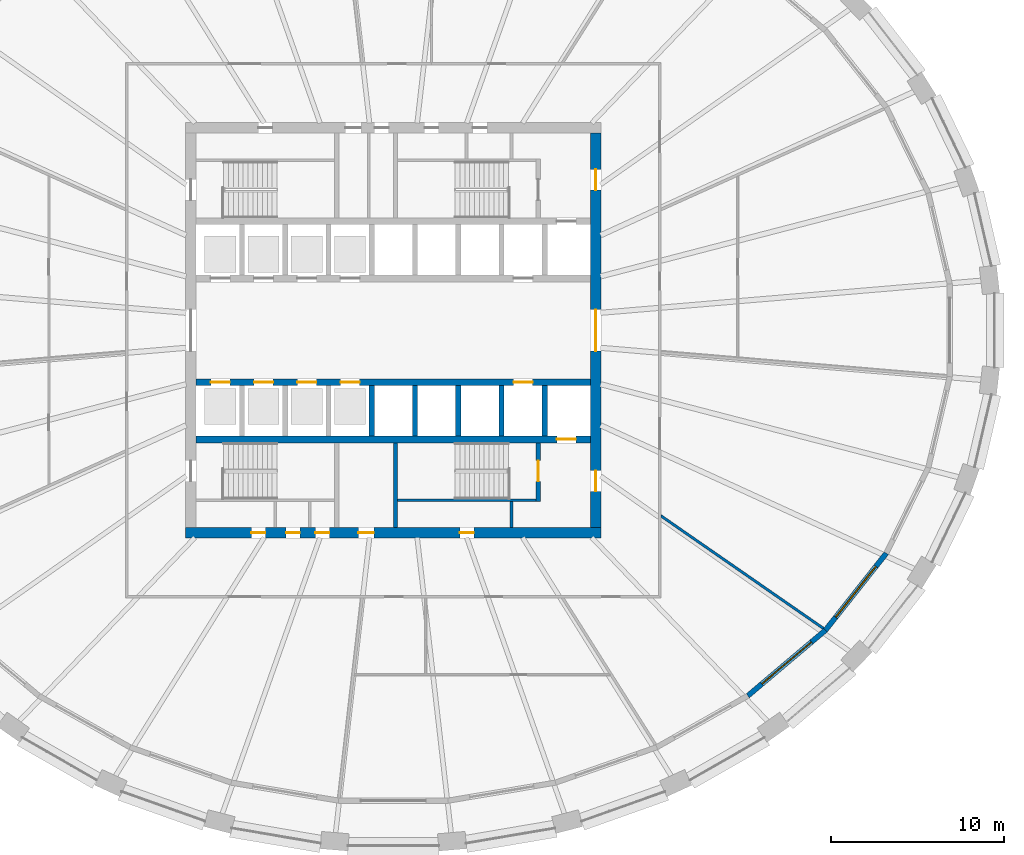
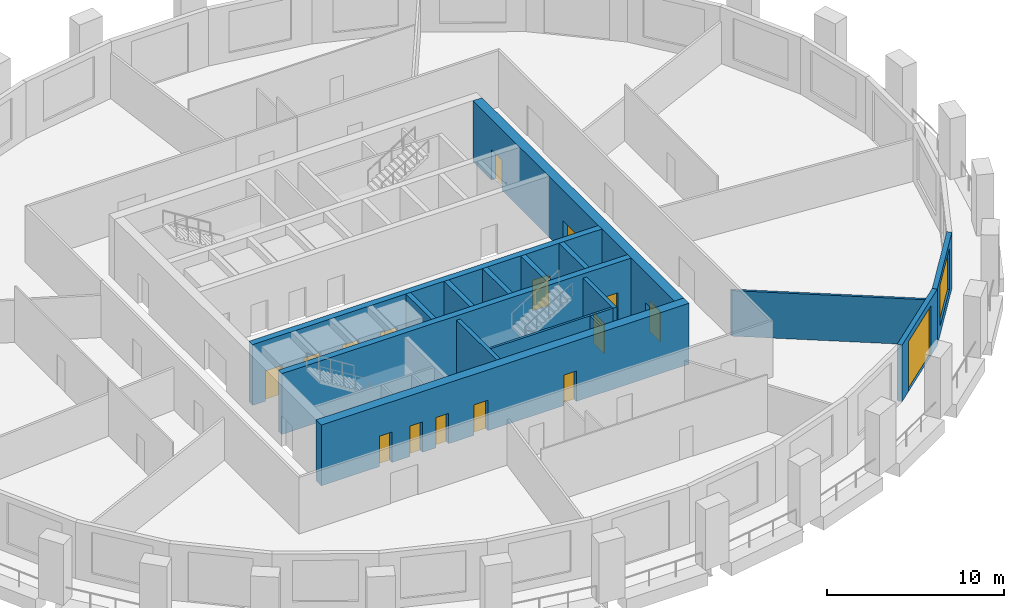
# One storey, part 4 of 10: 16 doors, 16 walls, 1 window, 17 openings.
"""IFC4 building model written with IfcOpenShell, lengths in metres."""

from ifc_helpers import new_model, si_unit, direction, frame, frame_2d, origin, place, context, subcontext, project, spatial, polyline, rectangle, outline, extrude, material, layer, layer_set, type_object, element, fill, save


model = new_model("IFC4")

# Units and contexts
model_context = context("Model", 3, precision=1e-05, world=origin(), true_north=direction((0.0, 1.0)))
body_context = subcontext(model_context, "Body", "Model", "MODEL_VIEW")
ifc_project = project(units=[si_unit("LENGTHUNIT", "METRE"), si_unit("AREAUNIT", "SQUARE_METRE"), si_unit("VOLUMEUNIT", "CUBIC_METRE"), si_unit("PLANEANGLEUNIT", "RADIAN"), si_unit("MASSUNIT", "GRAM", prefix="KILO")], contexts=[model_context])

# Site, building, storey
site_placement = place(None, origin())
site = spatial("IfcSite", under=ifc_project, at=site_placement, CompositionType="ELEMENT")
building_placement = place(site_placement, origin())
building = spatial("IfcBuilding", under=site, at=building_placement, Name="Halqa Exchange Tower", CompositionType="ELEMENT")
storey_placement = place(building_placement, frame((0.0, 0.0, 125.5)))
storey = spatial("IfcBuildingStorey", under=building, at=storey_placement, Name="L28", CompositionType="ELEMENT", Elevation=125.5)

# Walls
ifc_material_1 = material(Name="Fire-rated gypsum board")
ifc_layer_1 = layer(ifc_material_1, 0.14990234375)
ifc_layer_set_1 = layer_set([ifc_layer_1], Name="Fire-rated gypsum board")
wall_type_1 = type_object("IfcWallType", Name="Fire partition EI 60 150", PredefinedType="PARTITIONING", material=ifc_layer_set_1)
wall_1_placement = place(storey_placement, frame((15.4326171875, -10.702392578125, 0.0), z_axis=(0.0, 0.0, 1.0), x_axis=(0.82200427234, -0.56948132213, 0.0)))
element("IfcWall", 1, at=wall_1_placement, inside=storey, type_object=wall_type_1, Name="L28-PWL-021", PredefinedType="PARTITIONING", context=body_context, shape_type="SweptSolid", body=[
    extrude(outline(polyline([(0.103515625, -0.074951171875), (1.992431640625, -0.074951171875), (3.88134765625, -0.074951171875), (5.77001953125, -0.074951171875), (7.658935546875, -0.074951171875), (9.5478515625, -0.074951171875), (11.436767578125, -0.074951171875), (11.45703125, 0.0), (11.46142578125, 0.070556640625), (11.46142578125, 0.074951171875), (9.55126953125, 0.074951171875), (7.640869140625, 0.074951171875), (5.730712890625, 0.074951171875), (3.820556640625, 0.074951171875), (1.91015625, 0.074951171875), (0.0, 0.074951171875), (0.0, 0.074462890625), (0.103515625, -0.074951171875)])), origin(), (0.0, 0.0, 1.0), 3.14697265625),
])
ifc_material_2 = material(Name="Gypsum board")
ifc_layer_2 = layer(ifc_material_2, 0.14990234375)
ifc_layer_set_2 = layer_set([ifc_layer_2], Name="Gypsum board")
wall_type_2 = type_object("IfcWallType", Name="Penthouse riser wall 150 gypsum", PredefinedType="PARTITIONING", material=ifc_layer_set_2)
wall_2_placement = place(storey_placement, frame((6.824951171875, -11.39990234375, 0.0), z_axis=(0.0, 0.0, 1.0), x_axis=(0.0, 1.0, 0.0)))
element("IfcWall", 2, at=wall_2_placement, inside=storey, type_object=wall_type_2, Name="Firefighting lobby west wall S", PredefinedType="PARTITIONING", context=body_context, shape_type="SweptSolid", body=[
    extrude(rectangle(XDim=1.5, YDim=0.14990234375, at=frame_2d((0.75, 0.0))), origin(), (0.0, 0.0, 1.0), 3.89990234375),
])
ifc_material_3 = material(Name="Concrete C60/75", Category="concrete")
ifc_layer_3 = layer(ifc_material_3, 0.300048828125)
ifc_layer_set_3 = layer_set([ifc_layer_3], Name="Concrete C60/75")
wall_type_3 = type_object("IfcWallType", Name="RC core wall 300", PredefinedType="SHEAR", material=ifc_layer_set_3)
for number, where, z_axis, x_axis, name in (
    (3, (-1.25, -6.10009765625, 0.0), (0.0, 0.0, 1.0), (0.0, 1.0, 0.0), "Shaft divider S4"),
    (4, (1.25, -6.10009765625, 0.0), (0.0, 0.0, 1.0), (0.0, 1.0, 0.0), "Shaft divider S5"),
    (5, (3.75, -6.10009765625, 0.0), (0.0, 0.0, 1.0), (0.0, 1.0, 0.0), "Shaft divider S6"),
    (6, (6.25, -6.10009765625, 0.0), (0.0, 0.0, 1.0), (0.0, 1.0, 0.0), "Shaft divider S7"),
    (7, (8.75, -6.10009765625, 0.0), (0.0, 0.0, 1.0), (0.0, 1.0, 0.0), "Shaft divider S8"),
):
    element("IfcWall", number, at=place(storey_placement, frame(where, z_axis=z_axis, x_axis=x_axis)), inside=storey, type_object=wall_type_3, Name=name, PredefinedType="SHEAR", context=body_context, shape_type="SweptSolid", body=[
        extrude(rectangle(XDim=2.900146484375, YDim=0.300048828125, at=frame_2d((1.4501953125, 0.0))), origin(), (0.0, 0.0, 1.0), 4.199951171875),
    ])

# Wall, openings, doors
ifc_material_4 = material(Name="Concrete C70/85", Category="concrete")
ifc_layer_4 = layer(ifc_material_4, 0.39990234375)
ifc_layer_set_4 = layer_set([ifc_layer_4], Name="Concrete C70/85")
wall_type_4 = type_object("IfcWallType", Name="RC core wall 400 C70/85", PredefinedType="SHEAR", material=ifc_layer_set_4)
wall_3_placement = place(storey_placement, frame((-11.39990234375, -3.0, 0.0), z_axis=(0.0, 0.0, 1.0), x_axis=(1.0, 0.0, 0.0)))
wall_3 = element("IfcWall", 8, at=wall_3_placement, inside=storey, type_object=wall_type_4, Name="Lift row front wall S", PredefinedType="SHEAR", context=body_context, shape_type="SweptSolid", body=[
    extrude(rectangle(XDim=22.7998046875, YDim=0.39990234375, at=frame_2d((11.39990234375, 0.0))), origin(), (0.0, 0.0, 1.0), 4.199951171875),
])
opening_1_placement = place(wall_3_placement, frame((0.85009765625, 0.0, 0.0)))
opening_1 = element("IfcOpeningElement", 9, at=opening_1_placement, cuts=wall_3, Name="Opening LD-LR5-T08", PredefinedType="OPENING", context=body_context, shape_type="SweptSolid", body=[
    extrude(rectangle(XDim=1.10009765625, YDim=2.10009765625, at=frame_2d((0.550048828125, 1.050048828125))), frame((0.0, 0.2119140625, 0.0), z_axis=(0.0, -1.0, 0.0), x_axis=(1.0, 0.0, 0.0)), (0.0, 0.0, 1.0), 0.423828125),
])
opening_2_placement = place(wall_3_placement, frame((3.35009765625, 0.0, 0.0)))
opening_2 = element("IfcOpeningElement", 10, at=opening_2_placement, cuts=wall_3, Name="Opening LD-LR6-T08", PredefinedType="OPENING", context=body_context, shape_type="SweptSolid", body=[
    extrude(rectangle(XDim=1.10009765625, YDim=2.10009765625, at=frame_2d((0.550048828125, 1.050048828125))), frame((0.0, 0.2119140625, 0.0), z_axis=(0.0, -1.0, 0.0), x_axis=(1.0, 0.0, 0.0)), (0.0, 0.0, 1.0), 0.423828125),
])
opening_3_placement = place(wall_3_placement, frame((5.85009765625, 0.0, 0.0)))
opening_3 = element("IfcOpeningElement", 11, at=opening_3_placement, cuts=wall_3, Name="Opening LD-LR7-T08", PredefinedType="OPENING", context=body_context, shape_type="SweptSolid", body=[
    extrude(rectangle(XDim=1.10009765625, YDim=2.10009765625, at=frame_2d((0.550048828125, 1.050048828125))), frame((0.0, 0.2119140625, 0.0), z_axis=(0.0, -1.0, 0.0), x_axis=(1.0, 0.0, 0.0)), (0.0, 0.0, 1.0), 0.423828125),
])
opening_4_placement = place(wall_3_placement, frame((8.35009765625, 0.0, 0.0)))
opening_4 = element("IfcOpeningElement", 12, at=opening_4_placement, cuts=wall_3, Name="Opening LD-LR8-T08", PredefinedType="OPENING", context=body_context, shape_type="SweptSolid", body=[
    extrude(rectangle(XDim=1.10009765625, YDim=2.10009765625, at=frame_2d((0.550048828125, 1.050048828125))), frame((0.0, 0.2119140625, 0.0), z_axis=(0.0, -1.0, 0.0), x_axis=(1.0, 0.0, 0.0)), (0.0, 0.0, 1.0), 0.423828125),
])
opening_5_placement = place(wall_3_placement, frame((18.35009765625, 0.0, 0.0)))
opening_5 = element("IfcOpeningElement", 13, at=opening_5_placement, cuts=wall_3, Name="Opening LD-SV2-T08", PredefinedType="OPENING", context=body_context, shape_type="SweptSolid", body=[
    extrude(rectangle(XDim=1.10009765625, YDim=2.10009765625, at=frame_2d((0.550048828125, 1.050048828125))), frame((0.0, 0.2119140625, 0.0), z_axis=(0.0, -1.0, 0.0), x_axis=(1.0, 0.0, 0.0)), (0.0, 0.0, 1.0), 0.423828125),
])
ifc_material_5 = material(Name="Stainless steel", Category="steel")
door_type_1 = type_object("IfcDoorType", Name="Lift landing door 1100 x 2100", OperationType="SLIDING_TO_LEFT", PredefinedType="DOOR", material=ifc_material_5)
door_1_placement = place(opening_1_placement, origin())
door_1 = element("IfcDoor", 14, at=door_1_placement, inside=storey, type_object=door_type_1, Name="Lift landing door LR5", OperationType="SLIDING_TO_LEFT", OverallHeight=2.10009765625, OverallWidth=1.10009765625, PredefinedType="DOOR", context=body_context, shape_type="SweptSolid", body=[
    extrude(rectangle(XDim=1.10009765625, YDim=2.10009765625, at=frame_2d((0.550048828125, 1.050048828125))), frame((0.0, 0.02490234375, 0.0), z_axis=(0.0, -1.0, 0.0), x_axis=(1.0, 0.0, 0.0)), (0.0, 0.0, 1.0), 0.050048828125),
])
fill(opening_1, door_1)
door_2_placement = place(opening_2_placement, origin())
door_2 = element("IfcDoor", 15, at=door_2_placement, inside=storey, type_object=door_type_1, Name="Lift landing door LR6", OperationType="SLIDING_TO_LEFT", OverallHeight=2.10009765625, OverallWidth=1.10009765625, PredefinedType="DOOR", context=body_context, shape_type="SweptSolid", body=[
    extrude(rectangle(XDim=1.10009765625, YDim=2.10009765625, at=frame_2d((0.550048828125, 1.050048828125))), frame((0.0, 0.02490234375, 0.0), z_axis=(0.0, -1.0, 0.0), x_axis=(1.0, 0.0, 0.0)), (0.0, 0.0, 1.0), 0.050048828125),
])
fill(opening_2, door_2)
door_3_placement = place(opening_3_placement, origin())
door_3 = element("IfcDoor", 16, at=door_3_placement, inside=storey, type_object=door_type_1, Name="Lift landing door LR7", OperationType="SLIDING_TO_LEFT", OverallHeight=2.10009765625, OverallWidth=1.10009765625, PredefinedType="DOOR", context=body_context, shape_type="SweptSolid", body=[
    extrude(rectangle(XDim=1.10009765625, YDim=2.10009765625, at=frame_2d((0.550048828125, 1.050048828125))), frame((0.0, 0.02490234375, 0.0), z_axis=(0.0, -1.0, 0.0), x_axis=(1.0, 0.0, 0.0)), (0.0, 0.0, 1.0), 0.050048828125),
])
fill(opening_3, door_3)
door_4_placement = place(opening_4_placement, origin())
door_4 = element("IfcDoor", 17, at=door_4_placement, inside=storey, type_object=door_type_1, Name="Lift landing door LR8", OperationType="SLIDING_TO_LEFT", OverallHeight=2.10009765625, OverallWidth=1.10009765625, PredefinedType="DOOR", context=body_context, shape_type="SweptSolid", body=[
    extrude(rectangle(XDim=1.10009765625, YDim=2.10009765625, at=frame_2d((0.550048828125, 1.050048828125))), frame((0.0, 0.02490234375, 0.0), z_axis=(0.0, -1.0, 0.0), x_axis=(1.0, 0.0, 0.0)), (0.0, 0.0, 1.0), 0.050048828125),
])
fill(opening_4, door_4)
door_5_placement = place(opening_5_placement, origin())
door_5 = element("IfcDoor", 18, at=door_5_placement, inside=storey, type_object=door_type_1, Name="Lift landing door SV2", OperationType="SLIDING_TO_LEFT", OverallHeight=2.10009765625, OverallWidth=1.10009765625, PredefinedType="DOOR", context=body_context, shape_type="SweptSolid", body=[
    extrude(rectangle(XDim=1.10009765625, YDim=2.10009765625, at=frame_2d((0.550048828125, 1.050048828125))), frame((0.0, 0.02490234375, 0.0), z_axis=(0.0, -1.0, 0.0), x_axis=(1.0, 0.0, 0.0)), (0.0, 0.0, 1.0), 0.050048828125),
])
fill(opening_5, door_5)

# Wall, opening, door
wall_4_placement = place(storey_placement, frame((-11.39990234375, -6.300048828125, 0.0), z_axis=(0.0, 0.0, 1.0), x_axis=(1.0, 0.0, 0.0)))
wall_4 = element("IfcWall", 19, at=wall_4_placement, inside=storey, type_object=wall_type_4, Name="Lift row back wall S", PredefinedType="SHEAR", context=body_context, shape_type="SweptSolid", body=[
    extrude(rectangle(XDim=22.7998046875, YDim=0.39990234375, at=frame_2d((11.39990234375, 0.0))), origin(), (0.0, 0.0, 1.0), 4.199951171875),
])
opening_6_placement = place(wall_4_placement, frame((20.85009765625, 0.0, 0.0)))
opening_6 = element("IfcOpeningElement", 20, at=opening_6_placement, cuts=wall_4, Name="Opening LD-FF2-T08", PredefinedType="OPENING", context=body_context, shape_type="SweptSolid", body=[
    extrude(rectangle(XDim=1.10009765625, YDim=2.10009765625, at=frame_2d((0.550048828125, 1.050048828125))), frame((0.0, 0.2119140625, 0.0), z_axis=(0.0, -1.0, 0.0), x_axis=(1.0, 0.0, 0.0)), (0.0, 0.0, 1.0), 0.423828125),
])
door_6_placement = place(opening_6_placement, origin())
door_6 = element("IfcDoor", 21, at=door_6_placement, inside=storey, type_object=door_type_1, Name="Lift landing door FF2", OperationType="SLIDING_TO_LEFT", OverallHeight=2.10009765625, OverallWidth=1.10009765625, PredefinedType="DOOR", context=body_context, shape_type="SweptSolid", body=[
    extrude(rectangle(XDim=1.10009765625, YDim=2.10009765625, at=frame_2d((0.550048828125, 1.050048828125))), frame((0.0, 0.02490234375, 0.0), z_axis=(0.0, -1.0, 0.0), x_axis=(1.0, 0.0, 0.0)), (0.0, 0.0, 1.0), 0.050048828125),
])
fill(opening_6, door_6)

# Wall, openings, doors
ifc_layer_5 = layer(ifc_material_4, 0.60009765625)
ifc_layer_set_5 = layer_set([ifc_layer_5], Name="Concrete C70/85")
wall_type_5 = type_object("IfcWallType", Name="RC core wall 600 C70/85", PredefinedType="SHEAR", material=ifc_layer_set_5)
wall_5_placement = place(storey_placement, frame((-12.0, -11.699951171875, 0.0), z_axis=(0.0, 0.0, 1.0), x_axis=(1.0, 0.0, 0.0)))
wall_5 = element("IfcWall", 22, at=wall_5_placement, inside=storey, type_object=wall_type_5, Name="Core wall south", PredefinedType="SHEAR", context=body_context, shape_type="SweptSolid", body=[
    extrude(rectangle(XDim=24.0, YDim=0.60009765625, at=frame_2d((12.0, 0.0))), origin(), (0.0, 0.0, 1.0), 4.199951171875),
])
opening_7_placement = place(wall_5_placement, frame((9.97509765625, 0.0, 0.0)))
opening_7 = element("IfcOpeningElement", 23, at=opening_7_placement, cuts=wall_5, Name="Opening T08-C26", PredefinedType="OPENING", context=body_context, shape_type="SweptSolid", body=[
    extrude(rectangle(XDim=0.89990234375, YDim=2.10009765625, at=frame_2d((0.449951171875, 1.050048828125))), frame((0.0, 0.31201171875, 0.0), z_axis=(0.0, -1.0, 0.0), x_axis=(1.0, 0.0, 0.0)), (0.0, 0.0, 1.0), 0.6240234375),
])
opening_8_placement = place(wall_5_placement, frame((3.800048828125, 0.0, 0.0)))
opening_8 = element("IfcOpeningElement", 24, at=opening_8_placement, cuts=wall_5, Name="Opening T08-C27", PredefinedType="OPENING", context=body_context, shape_type="SweptSolid", body=[
    extrude(rectangle(XDim=0.800048828125, YDim=2.10009765625, at=frame_2d((0.39990234375, 1.050048828125))), frame((0.0, 0.31201171875, 0.0), z_axis=(0.0, -1.0, 0.0), x_axis=(1.0, 0.0, 0.0)), (0.0, 0.0, 1.0), 0.6240234375),
])
opening_9_placement = place(wall_5_placement, frame((5.800048828125, 0.0, 0.0)))
opening_9 = element("IfcOpeningElement", 25, at=opening_9_placement, cuts=wall_5, Name="Opening T08-C28", PredefinedType="OPENING", context=body_context, shape_type="SweptSolid", body=[
    extrude(rectangle(XDim=0.800048828125, YDim=2.10009765625, at=frame_2d((0.39990234375, 1.050048828125))), frame((0.0, 0.31201171875, 0.0), z_axis=(0.0, -1.0, 0.0), x_axis=(1.0, 0.0, 0.0)), (0.0, 0.0, 1.0), 0.6240234375),
])
opening_10_placement = place(wall_5_placement, frame((7.5, 0.0, 0.0)))
opening_10 = element("IfcOpeningElement", 26, at=opening_10_placement, cuts=wall_5, Name="Opening T08-C29", PredefinedType="OPENING", context=body_context, shape_type="SweptSolid", body=[
    extrude(rectangle(XDim=0.800048828125, YDim=2.10009765625, at=frame_2d((0.39990234375, 1.050048828125))), frame((0.0, 0.31201171875, 0.0), z_axis=(0.0, -1.0, 0.0), x_axis=(1.0, 0.0, 0.0)), (0.0, 0.0, 1.0), 0.6240234375),
])
opening_11_placement = place(wall_5_placement, frame((15.85009765625, 0.0, 0.0)))
opening_11 = element("IfcOpeningElement", 27, at=opening_11_placement, cuts=wall_5, Name="Opening T08-C30", PredefinedType="OPENING", context=body_context, shape_type="SweptSolid", body=[
    extrude(rectangle(XDim=0.800048828125, YDim=2.10009765625, at=frame_2d((0.39990234375, 1.050048828125))), frame((0.0, 0.31201171875, 0.0), z_axis=(0.0, -1.0, 0.0), x_axis=(1.0, 0.0, 0.0)), (0.0, 0.0, 1.0), 0.6240234375),
])
ifc_material_6 = material(Name="Timber fire door leaf", Category="wood")
door_type_2 = type_object("IfcDoorType", Name="Core room door FD30 900 x 2100", OperationType="SINGLE_SWING_LEFT", PredefinedType="DOOR", material=ifc_material_6)
door_7_placement = place(opening_7_placement, origin())
door_7 = element("IfcDoor", 28, at=door_7_placement, inside=storey, type_object=door_type_2, Name="Core room door", OperationType="SINGLE_SWING_RIGHT", OverallHeight=2.10009765625, OverallWidth=0.89990234375, PredefinedType="DOOR", context=body_context, shape_type="SweptSolid", body=[
    extrude(rectangle(XDim=0.89990234375, YDim=2.10009765625, at=frame_2d((0.449951171875, 1.050048828125))), frame((0.0, 0.02490234375, 0.0), z_axis=(0.0, -1.0, 0.0), x_axis=(1.0, 0.0, 0.0)), (0.0, 0.0, 1.0), 0.050048828125),
])
fill(opening_7, door_7)
ifc_material_7 = material(Name="Steel fire door leaf", Category="steel")
door_type_3 = type_object("IfcDoorType", Name="Riser door FD60 800 x 2100", OperationType="SINGLE_SWING_LEFT", PredefinedType="DOOR", material=ifc_material_7)
door_8_placement = place(opening_8_placement, origin())
door_8 = element("IfcDoor", 29, at=door_8_placement, inside=storey, type_object=door_type_3, Name="Core room door", OperationType="SINGLE_SWING_LEFT", OverallHeight=2.10009765625, OverallWidth=0.800048828125, PredefinedType="DOOR", context=body_context, shape_type="SweptSolid", body=[
    extrude(rectangle(XDim=0.800048828125, YDim=2.10009765625, at=frame_2d((0.39990234375, 1.050048828125))), frame((0.0, 0.02490234375, 0.0), z_axis=(0.0, -1.0, 0.0), x_axis=(1.0, 0.0, 0.0)), (0.0, 0.0, 1.0), 0.050048828125),
])
fill(opening_8, door_8)
door_9_placement = place(opening_9_placement, origin())
door_9 = element("IfcDoor", 30, at=door_9_placement, inside=storey, type_object=door_type_3, Name="Core room door", OperationType="SINGLE_SWING_LEFT", OverallHeight=2.10009765625, OverallWidth=0.800048828125, PredefinedType="DOOR", context=body_context, shape_type="SweptSolid", body=[
    extrude(rectangle(XDim=0.800048828125, YDim=2.10009765625, at=frame_2d((0.39990234375, 1.050048828125))), frame((0.0, 0.02490234375, 0.0), z_axis=(0.0, -1.0, 0.0), x_axis=(1.0, 0.0, 0.0)), (0.0, 0.0, 1.0), 0.050048828125),
])
fill(opening_9, door_9)
door_10_placement = place(opening_10_placement, origin())
door_10 = element("IfcDoor", 31, at=door_10_placement, inside=storey, type_object=door_type_3, Name="Core room door", OperationType="SINGLE_SWING_LEFT", OverallHeight=2.10009765625, OverallWidth=0.800048828125, PredefinedType="DOOR", context=body_context, shape_type="SweptSolid", body=[
    extrude(rectangle(XDim=0.800048828125, YDim=2.10009765625, at=frame_2d((0.39990234375, 1.050048828125))), frame((0.0, 0.02490234375, 0.0), z_axis=(0.0, -1.0, 0.0), x_axis=(1.0, 0.0, 0.0)), (0.0, 0.0, 1.0), 0.050048828125),
])
fill(opening_10, door_10)
door_11_placement = place(opening_11_placement, origin())
door_11 = element("IfcDoor", 32, at=door_11_placement, inside=storey, type_object=door_type_3, Name="Core room door", OperationType="SINGLE_SWING_LEFT", OverallHeight=2.10009765625, OverallWidth=0.800048828125, PredefinedType="DOOR", context=body_context, shape_type="SweptSolid", body=[
    extrude(rectangle(XDim=0.800048828125, YDim=2.10009765625, at=frame_2d((0.39990234375, 1.050048828125))), frame((0.0, 0.02490234375, 0.0), z_axis=(0.0, -1.0, 0.0), x_axis=(1.0, 0.0, 0.0)), (0.0, 0.0, 1.0), 0.050048828125),
])
fill(opening_11, door_11)

wall_6_placement = place(storey_placement, frame((11.699951171875, -11.39990234375, 0.0), z_axis=(0.0, 0.0, 1.0), x_axis=(0.0, 1.0, 0.0)))
wall_6 = element("IfcWall", 33, at=wall_6_placement, inside=storey, type_object=wall_type_5, Name="Core wall east", PredefinedType="SHEAR", context=body_context, shape_type="SweptSolid", body=[
    extrude(rectangle(XDim=22.7998046875, YDim=0.60009765625, at=frame_2d((11.39990234375, 0.0))), origin(), (0.0, 0.0, 1.0), 4.199951171875),
])
opening_12_placement = place(wall_6_placement, frame((10.199951171875, 0.0, 0.0)))
opening_12 = element("IfcOpeningElement", 34, at=opening_12_placement, cuts=wall_6, Name="Opening T08-C14", PredefinedType="OPENING", context=body_context, shape_type="SweptSolid", body=[
    extrude(rectangle(XDim=2.39990234375, YDim=2.10009765625, at=frame_2d((1.199951171875, 1.050048828125))), frame((0.0, 0.31201171875, 0.0), z_axis=(0.0, -1.0, 0.0), x_axis=(1.0, 0.0, 0.0)), (0.0, 0.0, 1.0), 0.6240234375),
])
opening_13_placement = place(wall_6_placement, frame((19.5, 0.0, 0.0)))
opening_13 = element("IfcOpeningElement", 35, at=opening_13_placement, cuts=wall_6, Name="Opening T08-C19", PredefinedType="OPENING", context=body_context, shape_type="SweptSolid", body=[
    extrude(rectangle(XDim=1.199951171875, YDim=2.10009765625, at=frame_2d((0.60009765625, 1.050048828125))), frame((0.0, 0.31201171875, 0.0), z_axis=(0.0, -1.0, 0.0), x_axis=(1.0, 0.0, 0.0)), (0.0, 0.0, 1.0), 0.6240234375),
])
opening_14_placement = place(wall_6_placement, frame((2.10009765625, 0.0, 0.0)))
opening_14 = element("IfcOpeningElement", 36, at=opening_14_placement, cuts=wall_6, Name="Opening T08-C20", PredefinedType="OPENING", context=body_context, shape_type="SweptSolid", body=[
    extrude(rectangle(XDim=1.199951171875, YDim=2.10009765625, at=frame_2d((0.60009765625, 1.050048828125))), frame((0.0, 0.31201171875, 0.0), z_axis=(0.0, -1.0, 0.0), x_axis=(1.0, 0.0, 0.0)), (0.0, 0.0, 1.0), 0.6240234375),
])
door_type_4 = type_object("IfcDoorType", Name="Firefighting lobby door FD90 1200 x 2100", OperationType="SINGLE_SWING_RIGHT", PredefinedType="DOOR", material=ifc_material_7)
door_12_placement = place(opening_13_placement, origin())
door_12 = element("IfcDoor", 37, at=door_12_placement, inside=storey, type_object=door_type_4, Name="Firefighting lobby door", OperationType="SINGLE_SWING_RIGHT", OverallHeight=2.10009765625, OverallWidth=1.199951171875, PredefinedType="DOOR", context=body_context, shape_type="SweptSolid", body=[
    extrude(rectangle(XDim=1.199951171875, YDim=2.10009765625, at=frame_2d((0.60009765625, 1.050048828125))), frame((0.0, 0.02490234375, 0.0), z_axis=(0.0, -1.0, 0.0), x_axis=(1.0, 0.0, 0.0)), (0.0, 0.0, 1.0), 0.050048828125),
])
fill(opening_13, door_12)
door_13_placement = place(opening_14_placement, origin())
door_13 = element("IfcDoor", 38, at=door_13_placement, inside=storey, type_object=door_type_4, Name="Firefighting lobby door", OperationType="SINGLE_SWING_LEFT", OverallHeight=2.10009765625, OverallWidth=1.199951171875, PredefinedType="DOOR", context=body_context, shape_type="SweptSolid", body=[
    extrude(rectangle(XDim=1.199951171875, YDim=2.10009765625, at=frame_2d((0.60009765625, 1.050048828125))), frame((0.0, 0.02490234375, 0.0), z_axis=(0.0, -1.0, 0.0), x_axis=(1.0, 0.0, 0.0)), (0.0, 0.0, 1.0), 0.050048828125),
])
fill(opening_14, door_13)
door_type_5 = type_object("IfcDoorType", Name="Lobby double door FD60 2400 x 2100", OperationType="DOUBLE_DOOR_SINGLE_SWING", PredefinedType="DOOR", material=ifc_material_7)
door_14_placement = place(opening_12_placement, origin())
door_14 = element("IfcDoor", 39, at=door_14_placement, inside=storey, type_object=door_type_5, Name="Lift lobby double door", OperationType="DOUBLE_DOOR_SINGLE_SWING", OverallHeight=2.10009765625, OverallWidth=2.39990234375, PredefinedType="DOOR", context=body_context, shape_type="SweptSolid", body=[
    extrude(rectangle(XDim=2.39990234375, YDim=2.10009765625, at=frame_2d((1.199951171875, 1.050048828125))), frame((0.0, 0.02490234375, 0.0), z_axis=(0.0, -1.0, 0.0), x_axis=(1.0, 0.0, 0.0)), (0.0, 0.0, 1.0), 0.050048828125),
])
fill(opening_12, door_14)

# Walls
ifc_material_8 = material(Name="Concrete C30/37", Category="concrete")
ifc_layer_6 = layer(ifc_material_8, 0.14990234375)
ifc_layer_set_6 = layer_set([ifc_layer_6], Name="Concrete C30/37")
wall_type_6 = type_object("IfcWallType", Name="RC stair wall 150 C30/37", PredefinedType="SHEAR", material=ifc_layer_set_6)
wall_7_placement = place(storey_placement, frame((0.25, -9.824951171875, 0.0), z_axis=(0.0, 0.0, 1.0), x_axis=(1.0, 0.0, 0.0)))
element("IfcWall", 40, at=wall_7_placement, inside=storey, type_object=wall_type_6, Name="Stair ST2 north wall S", PredefinedType="SHEAR", context=body_context, shape_type="SweptSolid", body=[
    extrude(rectangle(XDim=8.0, YDim=0.14990234375, at=frame_2d((4.0, 0.0))), origin(), (0.0, 0.0, 1.0), 3.89990234375),
])
ifc_layer_7 = layer(ifc_material_8, 0.25)
ifc_layer_set_7 = layer_set([ifc_layer_7], Name="Concrete C30/37")
wall_type_7 = type_object("IfcWallType", Name="RC stair wall 250 C30/37", PredefinedType="SHEAR", material=ifc_layer_set_7)
wall_8_placement = place(storey_placement, frame((0.125, -11.39990234375, 0.0), z_axis=(0.0, 0.0, 1.0), x_axis=(0.0, 1.0, 0.0)))
element("IfcWall", 41, at=wall_8_placement, inside=storey, type_object=wall_type_7, Name="Stair ST2 west wall S", PredefinedType="SHEAR", context=body_context, shape_type="SweptSolid", body=[
    extrude(rectangle(XDim=4.89990234375, YDim=0.25, at=frame_2d((2.449951171875, 0.0))), origin(), (0.0, 0.0, 1.0), 3.89990234375),
])

# Wall, opening, door
wall_9_placement = place(storey_placement, frame((8.375, -9.89990234375, 0.0), z_axis=(0.0, 0.0, 1.0), x_axis=(0.0, 1.0, 0.0)))
wall_9 = element("IfcWall", 42, at=wall_9_placement, inside=storey, type_object=wall_type_7, Name="Stair ST2 east wall S", PredefinedType="SHEAR", context=body_context, shape_type="SweptSolid", body=[
    extrude(rectangle(XDim=3.39990234375, YDim=0.25, at=frame_2d((1.699951171875, 0.0))), origin(), (0.0, 0.0, 1.0), 3.89990234375),
])
opening_15_placement = place(wall_9_placement, frame((1.175048828125, 0.0, 0.0)))
opening_15 = element("IfcOpeningElement", 43, at=opening_15_placement, cuts=wall_9, Name="Opening T08-C18", PredefinedType="OPENING", context=body_context, shape_type="SweptSolid", body=[
    extrude(rectangle(XDim=1.199951171875, YDim=2.10009765625, at=frame_2d((0.60009765625, 1.050048828125))), frame((0.0, 0.136962890625, 0.0), z_axis=(0.0, -1.0, 0.0), x_axis=(1.0, 0.0, 0.0)), (0.0, 0.0, 1.0), 0.27392578125),
])
door_type_6 = type_object("IfcDoorType", Name="Stair door FD90 1200 x 2100", OperationType="SINGLE_SWING_LEFT", PredefinedType="DOOR", material=ifc_material_7)
door_15_placement = place(opening_15_placement, origin())
door_15 = element("IfcDoor", 44, at=door_15_placement, inside=storey, type_object=door_type_6, Name="Stair door ST4", OperationType="SINGLE_SWING_RIGHT", OverallHeight=2.10009765625, OverallWidth=1.199951171875, PredefinedType="DOOR", context=body_context, shape_type="SweptSolid", body=[
    extrude(rectangle(XDim=1.199951171875, YDim=2.10009765625, at=frame_2d((0.60009765625, 1.050048828125))), frame((0.0, 0.02490234375, 0.0), z_axis=(0.0, -1.0, 0.0), x_axis=(1.0, 0.0, 0.0)), (0.0, 0.0, 1.0), 0.050048828125),
])
fill(opening_15, door_15)

ifc_material_9 = material(Name="Limestone cladding", Category="masonry")
ifc_layer_8 = layer(ifc_material_9, 0.0400390625)
ifc_material_10 = material(Name="Ventilated cavity")
ifc_layer_9 = layer(ifc_material_10, 0.030029296875, ventilated=True)
ifc_material_11 = material(Name="Mineral wool insulation")
ifc_layer_10 = layer(ifc_material_11, 0.10009765625)
ifc_layer_11 = layer(ifc_material_8, 0.10009765625)
ifc_material_12 = material(Name="Internal plaster")
ifc_layer_12 = layer(ifc_material_12, 0.030029296875)
ifc_layer_set_8 = layer_set([ifc_layer_8, ifc_layer_9, ifc_layer_10, ifc_layer_11, ifc_layer_12], Name="Stone-faced insulated wall 300")
wall_type_8 = type_object("IfcWallType", Name="Stone-faced insulated wall 300", PredefinedType="STANDARD", material=ifc_layer_set_8)
wall_10_placement = place(storey_placement, frame((20.47998046875, -21.11474609375, 0.0), z_axis=(0.0, 0.0, 1.0), x_axis=(0.763937302001, 0.645290476151, 0.0)))
wall_10 = element("IfcWall", 45, at=wall_10_placement, inside=storey, type_object=wall_type_8, Name="Glass-line wall 28", PredefinedType="STANDARD", context=body_context, shape_type="SweptSolid", body=[
    extrude(outline(polyline([(-0.01416015625, -0.14990234375), (5.87744140625, -0.14990234375), (5.84716796875, 0.14990234375), (0.01416015625, 0.14990234375), (-0.01416015625, -0.14990234375)])), origin(), (0.0, 0.0, 1.0), 3.89990234375),
])
opening_16_placement = place(wall_10_placement, frame((1.05615234375, 0.0, 0.0)))
opening_16 = element("IfcOpeningElement", 46, at=opening_16_placement, cuts=wall_10, Name="Opening LG-F2-07", PredefinedType="OPENING", context=body_context, shape_type="SweptSolid", body=[
    extrude(rectangle(XDim=3.75, YDim=3.449951171875, at=frame_2d((1.875, 1.72509765625))), frame((0.0, 0.162109375, 0.0), z_axis=(0.0, -1.0, 0.0), x_axis=(1.0, 0.0, 0.0)), (0.0, 0.0, 1.0), 0.323974609375),
])
ifc_material_13 = material(Name="Clear low-emissivity glass in aluminium frame", Category="aluminium")
door_type_7 = type_object("IfcDoorType", Name="Glazed sliding loggia door 3750 x 3450", OperationType="DOUBLE_DOOR_SLIDING", PredefinedType="DOOR", material=ifc_material_13)
door_16_placement = place(opening_16_placement, origin())
door_16 = element("IfcDoor", 47, at=door_16_placement, inside=storey, type_object=door_type_7, Name="Loggia door 7", OperationType="DOUBLE_DOOR_SLIDING", OverallHeight=3.449951171875, OverallWidth=3.75, PredefinedType="DOOR", context=body_context, shape_type="SweptSolid", body=[
    extrude(rectangle(XDim=3.75, YDim=3.449951171875, at=frame_2d((1.875, 1.72509765625))), frame((0.0, 0.02490234375, 0.0), z_axis=(0.0, -1.0, 0.0), x_axis=(1.0, 0.0, 0.0)), (0.0, 0.0, 1.0), 0.050048828125),
])
fill(opening_16, door_16)

# Wall, opening, window
wall_11_placement = place(storey_placement, frame((24.95849609375, -17.331787109375, 0.0), z_axis=(0.0, 0.0, 1.0), x_axis=(0.62038332391, 0.784298751379, 0.0)))
wall_11 = element("IfcWall", 48, at=wall_11_placement, inside=storey, type_object=wall_type_8, Name="Glass-line wall 29", PredefinedType="STANDARD", context=body_context, shape_type="SweptSolid", body=[
    extrude(outline(polyline([(-0.01513671875, -0.14990234375), (5.69091796875, -0.14990234375), (5.65869140625, 0.14990234375), (0.01513671875, 0.14990234375), (-0.01513671875, -0.14990234375)])), origin(), (0.0, 0.0, 1.0), 3.89990234375),
])
opening_17_placement = place(wall_11_placement, frame((0.96240234375, 0.0, 0.60009765625)))
opening_17 = element("IfcOpeningElement", 49, at=opening_17_placement, cuts=wall_11, Name="Opening W-F2-29", PredefinedType="OPENING", context=body_context, shape_type="SweptSolid", body=[
    extrude(rectangle(XDim=3.75, YDim=2.85009765625, at=frame_2d((1.875, 1.425048828125))), frame((0.0, 0.162109375, 0.0), z_axis=(0.0, -1.0, 0.0), x_axis=(1.0, 0.0, 0.0)), (0.0, 0.0, 1.0), 0.323974609375),
])
window_type = type_object("IfcWindowType", Name="Fixed clear glazed window 3750 x 2850", PartitioningType="TRIPLE_PANEL_VERTICAL", PredefinedType="WINDOW", material=ifc_material_13)
window_placement = place(opening_17_placement, origin())
window = element("IfcWindow", 50, at=window_placement, inside=storey, type_object=window_type, Name="Window 2", OverallHeight=2.85009765625, OverallWidth=3.75, PartitioningType="TRIPLE_PANEL_VERTICAL", PredefinedType="WINDOW", context=body_context, shape_type="SweptSolid", body=[
    extrude(rectangle(XDim=3.75, YDim=2.85009765625, at=frame_2d((1.875, 1.425048828125))), frame((0.0, 0.030029296875, 0.0), z_axis=(0.0, -1.0, 0.0), x_axis=(1.0, 0.0, 0.0)), (0.0, 0.0, 1.0), 0.06005859375),
])
fill(opening_17, window)

save(model, "model.ifc")
